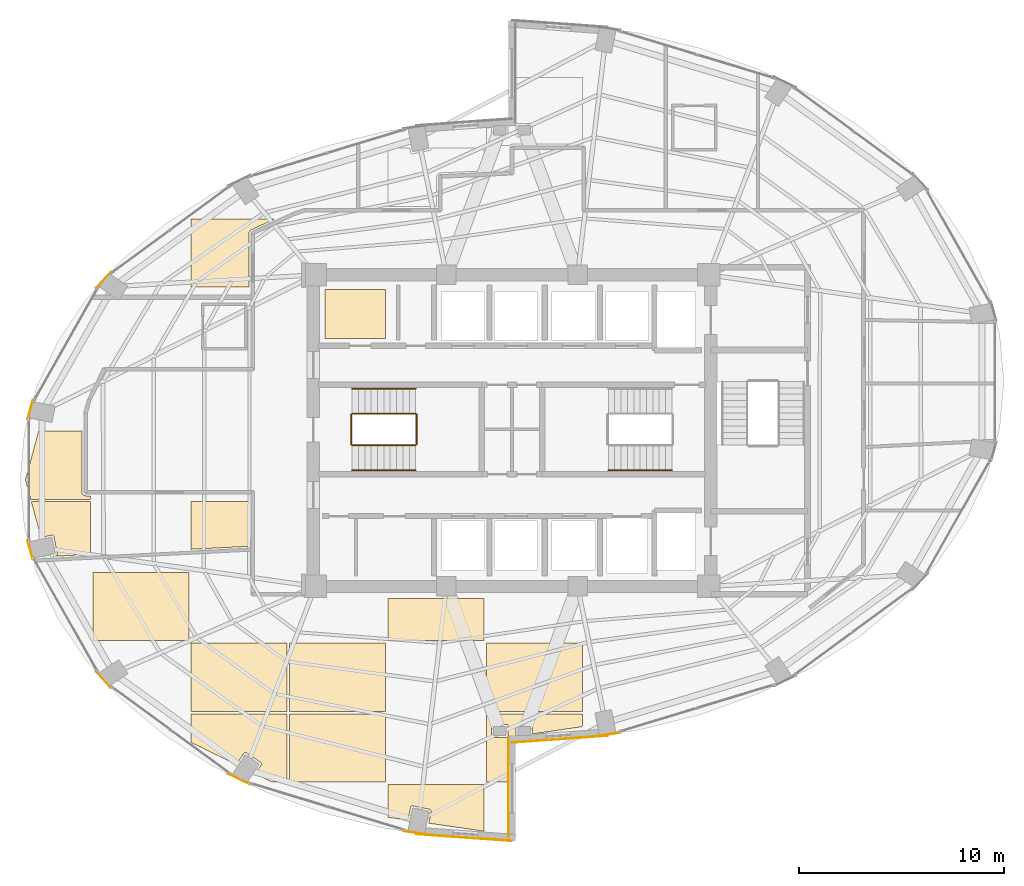
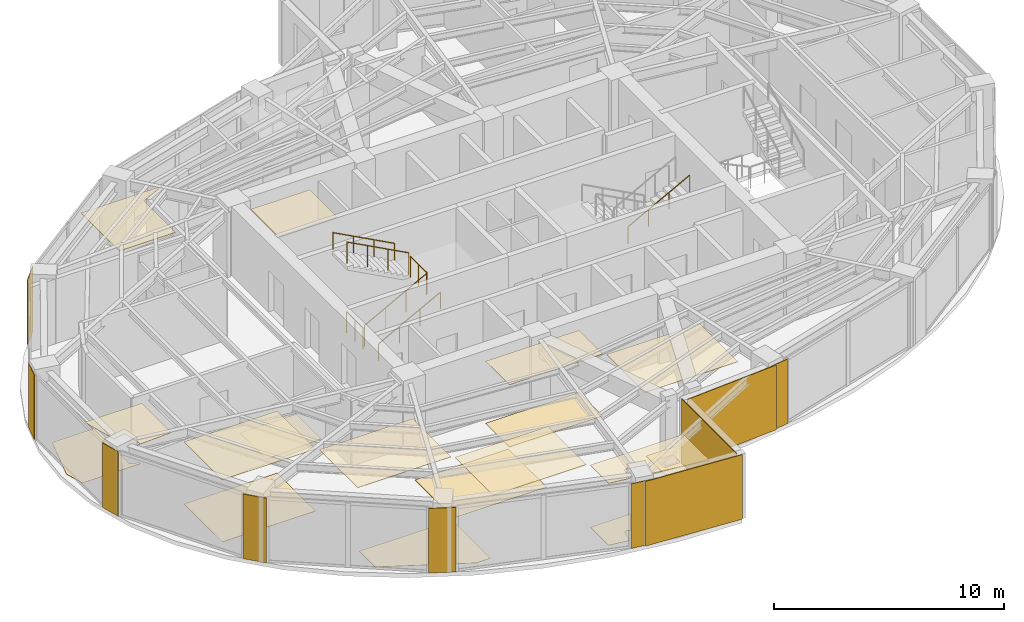
# One storey, part 19 of 20: 27 coverings, 7 railings.
"""IFC4 building model written with IfcOpenShell, lengths in metres."""

from ifc_helpers import new_model, si_unit, direction, frame, origin, origin_2d, place, context, subcontext, project, spatial, polyline, rectangle, circle, outline, extrude, material, layer, layer_set, type_object, element, save


model = new_model("IFC4")

# Units and contexts
model_context = context("Model", 3, precision=1e-05, world=origin(), true_north=direction((0.0, 1.0)))
body_context = subcontext(model_context, "Body", "Model", "MODEL_VIEW")
ifc_project = project(units=[si_unit("LENGTHUNIT", "METRE"), si_unit("AREAUNIT", "SQUARE_METRE"), si_unit("VOLUMEUNIT", "CUBIC_METRE"), si_unit("PLANEANGLEUNIT", "RADIAN"), si_unit("MASSUNIT", "GRAM", prefix="KILO")], contexts=[model_context])

# Site, building, storey
site_placement = place(None, origin())
site = spatial("IfcSite", under=ifc_project, at=site_placement, CompositionType="ELEMENT")
building_placement = place(site_placement, origin())
building = spatial("IfcBuilding", under=site, at=building_placement, Name="Lazwardi Medical Tower", CompositionType="ELEMENT")
storey_placement = place(building_placement, frame((0.0, 0.0, 141.93603515625)))
storey = spatial("IfcBuildingStorey", under=building, at=storey_placement, Name="L36", CompositionType="ELEMENT", Elevation=141.93603515625)

# Coverings
ifc_material_1 = material(Name="Anodised bronze aluminium cassette cladding", Category="aluminium")
ifc_layer_1 = layer(ifc_material_1, 0.030029296875)
ifc_layer_set_1 = layer_set([ifc_layer_1], Name="Anodised bronze aluminium cassette cladding")
covering_type_1 = type_object("IfcCoveringType", Name="COV-CLD-BRZ", PredefinedType="CLADDING", material=ifc_layer_set_1)
covering_1_placement = place(storey_placement, frame((40.67431640625, 13.17578125, 0.0), z_axis=(0.0, 0.0, 1.0), x_axis=(0.989539138138, 0.144264666823, 0.0)))
element("IfcCovering", 1, at=covering_1_placement, inside=storey, type_object=covering_type_1, Name="L36 Mega-column bronze cassette cover M01", PredefinedType="CLADDING", context=body_context, shape_type="SweptSolid", body=[
    extrude(rectangle(XDim=1.28515625, YDim=0.030029296875, at=origin_2d()), origin(), (0.0, 0.0, 1.0), 3.427978515625),
])
covering_2_placement = place(storey_placement, frame((16.07861328125, 35.356689453125, 0.0), z_axis=(0.0, 0.0, 1.0), x_axis=(-0.673714459537, -0.738991763832, 0.0)))
element("IfcCovering", 2, at=covering_2_placement, inside=storey, type_object=covering_type_1, Name="L36 Mega-column bronze cassette cover M11", PredefinedType="CLADDING", context=body_context, shape_type="SweptSolid", body=[
    extrude(rectangle(XDim=1.0693359375, YDim=0.030029296875, at=origin_2d()), origin(), (0.0, 0.0, 1.0), 3.427978515625),
])
for number, where, z_axis, x_axis, name in (
    (3, (12.501220703125, 29.026123046875, 0.0), (0.0, 0.0, 1.0), (-0.261828726257, -0.965114354938, 0.0), "L36 Mega-column bronze cassette cover M12"),
    (4, (12.501220703125, 22.173828125, 0.0), (0.0, 0.0, 1.0), (0.261828726257, -0.965114354938, 0.0), "L36 Mega-column bronze cassette cover M13"),
):
    element("IfcCovering", number, at=place(storey_placement, frame(where, z_axis=z_axis, x_axis=x_axis)), inside=storey, type_object=covering_type_1, Name=name, PredefinedType="CLADDING", context=body_context, shape_type="SweptSolid", body=[
        extrude(rectangle(XDim=0.9658203125, YDim=0.030029296875, at=origin_2d()), origin(), (0.0, 0.0, 1.0), 3.427978515625),
    ])
covering_3_placement = place(storey_placement, frame((16.07861328125, 15.84326171875, 0.0), z_axis=(0.0, 0.0, 1.0), x_axis=(0.673714459537, -0.738991763832, 0.0)))
element("IfcCovering", 5, at=covering_3_placement, inside=storey, type_object=covering_type_1, Name="L36 Mega-column bronze cassette cover M14", PredefinedType="CLADDING", context=body_context, shape_type="SweptSolid", body=[
    extrude(rectangle(XDim=1.0693359375, YDim=0.030029296875, at=origin_2d()), origin(), (0.0, 0.0, 1.0), 3.427978515625),
])
covering_4_placement = place(storey_placement, frame((22.68896484375, 10.998046875, 0.0), z_axis=(0.0, 0.0, 1.0), x_axis=(0.898079014814, -0.439834154144, 0.0)))
element("IfcCovering", 6, at=covering_4_placement, inside=storey, type_object=covering_type_1, Name="L36 Mega-column bronze cassette cover M15", PredefinedType="CLADDING", context=body_context, shape_type="SweptSolid", body=[
    extrude(rectangle(XDim=1.200439453125, YDim=0.030029296875, at=origin_2d()), origin(), (0.0, 0.0, 1.0), 3.427978515625),
])
covering_5_placement = place(storey_placement, frame((31.32568359375, 8.3759765625, 0.0), z_axis=(0.0, 0.0, 1.0), x_axis=(0.989539138138, -0.144264666823, 0.0)))
element("IfcCovering", 7, at=covering_5_placement, inside=storey, type_object=covering_type_1, Name="L36 Mega-column bronze cassette cover M16", PredefinedType="CLADDING", context=body_context, shape_type="SweptSolid", body=[
    extrude(rectangle(XDim=1.28515625, YDim=0.030029296875, at=origin_2d()), origin(), (0.0, 0.0, 1.0), 3.427978515625),
])
ifc_material_2 = material(Name="Turquoise glazed ceramic tilework cladding", Category="masonry")
ifc_layer_2 = layer(ifc_material_2, 0.034912109375)
ifc_layer_set_2 = layer_set([ifc_layer_2], Name="Turquoise glazed ceramic tilework cladding")
covering_type_2 = type_object("IfcCoveringType", Name="COV-CLD-TRQ", PredefinedType="CLADDING", material=ifc_layer_set_2)
covering_6_placement = place(storey_placement, frame((38.338134765625, 12.952392578125, 0.0), z_axis=(0.0, 0.0, 1.0), x_axis=(0.997414510753, 0.071863020663, 0.0)))
element("IfcCovering", 8, at=covering_6_placement, inside=storey, type_object=covering_type_2, Name="L36 Turquoise glazed ceramic tilework cladding", PredefinedType="CLADDING", context=body_context, shape_type="SweptSolid", body=[
    extrude(rectangle(XDim=4.6630859375, YDim=0.034912109375, at=origin_2d()), origin(), (0.0, 0.0, 1.0), 3.427978515625),
])
covering_7_placement = place(storey_placement, frame((33.66162109375, 8.152587890625, 0.0), z_axis=(0.0, 0.0, 1.0), x_axis=(0.997414134466, -0.071868243112, 0.0)))
element("IfcCovering", 9, at=covering_7_placement, inside=storey, type_object=covering_type_2, Name="L36 Turquoise glazed ceramic tilework cladding", PredefinedType="CLADDING", context=body_context, shape_type="SweptSolid", body=[
    extrude(rectangle(XDim=4.66259765625, YDim=0.034912109375, at=origin_2d()), origin(), (0.0, 0.0, 1.0), 3.427978515625),
])
covering_8_placement = place(storey_placement, frame((35.824462890625, 10.56005859375, 0.0), z_axis=(0.0, 0.0, 1.0), x_axis=(0.0, 1.0, 0.0)))
element("IfcCovering", 10, at=covering_8_placement, inside=storey, type_object=covering_type_2, Name="L36 Turquoise glazed ceramic tilework iwan panel", PredefinedType="CLADDING", context=body_context, shape_type="SweptSolid", body=[
    extrude(rectangle(XDim=4.800048828125, YDim=0.034912109375, at=origin_2d()), origin(), (0.0, 0.0, 1.0), 3.427978515625),
])
ifc_material_3 = material(Name="Acoustic mineral fibre tile")
ifc_layer_3 = layer(ifc_material_3, 0.02490234375)
ifc_layer_set_3 = layer_set([ifc_layer_3], Name="Acoustic mineral fibre tile")
covering_type_3 = type_object("IfcCoveringType", Name="COV-CLG-01", PredefinedType="CEILING", material=ifc_layer_set_3)
covering_9_placement = place(storey_placement, frame((0.0, 0.0, 3.282958984375)))
element("IfcCovering", 11, at=covering_9_placement, inside=storey, type_object=covering_type_3, Name="L36 Clinical Acoustic Ceiling 1", PredefinedType="CEILING", context=body_context, shape_type="SweptSolid", body=[
    extrude(outline(polyline([(12.55322265625, 24.532470703125), (13.02490234375, 22.798583984375), (13.55810546875, 22.904541015625), (13.56591796875, 22.90576171875), (13.57373046875, 22.906005859375), (13.58154296875, 22.90576171875), (13.58935546875, 22.904541015625), (13.596923828125, 22.902587890625), (13.6044921875, 22.89990234375), (13.611572265625, 22.896728515625), (13.6181640625, 22.892578125), (13.62451171875, 22.887939453125), (13.63037109375, 22.8828125), (13.635498046875, 22.876953125), (13.640380859375, 22.87060546875), (13.644287109375, 22.86376953125), (13.647705078125, 22.856689453125), (13.650390625, 22.849365234375), (13.65234375, 22.841796875), (13.820068359375, 21.998291015625), (13.8212890625, 21.990478515625), (13.821533203125, 21.982666015625), (13.8212890625, 21.974853515625), (13.820068359375, 21.967041015625), (13.818115234375, 21.95947265625), (13.8154296875, 21.951904296875), (13.812255859375, 21.94482421875), (13.80810546875, 21.938232421875), (13.803466796875, 21.931884765625), (13.798095703125, 21.926025390625), (13.79248046875, 21.9208984375), (13.785888671875, 21.916015625), (13.779296875, 21.912109375), (13.772216796875, 21.90869140625), (13.764892578125, 21.906005859375), (13.757080078125, 21.904052734375), (13.586181640625, 21.8701171875), (15.432861328125, 21.9638671875), (15.432861328125, 24.532470703125), (12.55322265625, 24.532470703125)])), origin(), (0.0, 0.0, 1.0), 0.02490234375),
])
covering_10_placement = place(storey_placement, frame((0.0, 0.0, 3.282958984375)))
element("IfcCovering", 12, at=covering_10_placement, inside=storey, type_object=covering_type_3, Name="L36 Clinical Acoustic Ceiling 2", PredefinedType="CEILING", context=body_context, shape_type="SweptSolid", body=[
    extrude(outline(polyline([(20.23291015625, 17.75244140625), (20.23291015625, 21.08251953125), (15.552978515625, 21.08251953125), (15.552978515625, 17.75244140625), (20.23291015625, 17.75244140625)])), origin(), (0.0, 0.0, 1.0), 0.02490234375),
])
covering_11_placement = place(storey_placement, frame((0.0, 0.0, 3.282958984375)))
element("IfcCovering", 13, at=covering_11_placement, inside=storey, type_object=covering_type_3, Name="L36 Clinical Acoustic Ceiling 3", PredefinedType="CEILING", context=body_context, shape_type="SweptSolid", body=[
    extrude(outline(polyline([(25.032958984375, 14.302490234375), (25.032958984375, 17.632568359375), (20.352783203125, 17.632568359375), (20.352783203125, 14.302490234375), (25.032958984375, 14.302490234375)])), origin(), (0.0, 0.0, 1.0), 0.02490234375),
])
covering_12_placement = place(storey_placement, frame((0.0, 0.0, 3.282958984375)))
element("IfcCovering", 14, at=covering_12_placement, inside=storey, type_object=covering_type_3, Name="L36 Clinical Acoustic Ceiling 4", PredefinedType="CEILING", context=body_context, shape_type="SweptSolid", body=[
    extrude(outline(polyline([(23.175048828125, 35.00244140625), (23.175048828125, 37.6337890625), (23.175048828125, 37.637451171875), (23.175537109375, 37.646484375), (23.17626953125, 37.654296875), (23.177490234375, 37.663330078125), (23.178955078125, 37.67041015625), (23.180908203125, 37.67919921875), (23.18310546875, 37.686279296875), (23.18603515625, 37.694580078125), (23.18896484375, 37.7021484375), (23.192626953125, 37.710205078125), (23.19580078125, 37.71630859375), (23.2001953125, 37.72412109375), (23.204345703125, 37.730712890625), (23.20947265625, 37.73828125), (23.214111328125, 37.744140625), (23.219970703125, 37.7509765625), (23.2255859375, 37.7568359375), (23.232177734375, 37.76318359375), (23.2373046875, 37.767578125), (23.244384765625, 37.773193359375), (23.25048828125, 37.77783203125), (23.258056640625, 37.78271484375), (23.26416015625, 37.786376953125), (23.272216796875, 37.79052734375), (23.27587890625, 37.79248046875), (24.43017578125, 38.33251953125), (20.352783203125, 38.33251953125), (20.352783203125, 35.00244140625), (23.175048828125, 35.00244140625)])), origin(), (0.0, 0.0, 1.0), 0.02490234375),
])
covering_13_placement = place(storey_placement, frame((0.0, 0.0, 3.282958984375)))
element("IfcCovering", 15, at=covering_13_placement, inside=storey, type_object=covering_type_3, Name="L36 Clinical Acoustic Ceiling 5", PredefinedType="CEILING", context=body_context, shape_type="SweptSolid", body=[
    extrude(outline(polyline([(29.8330078125, 10.8525390625), (29.8330078125, 14.1826171875), (25.15283203125, 14.1826171875), (25.15283203125, 10.8525390625), (29.8330078125, 10.8525390625)])), origin(), (0.0, 0.0, 1.0), 0.02490234375),
])
covering_14_placement = place(storey_placement, frame((0.0, 0.0, 3.282958984375)))
element("IfcCovering", 16, at=covering_14_placement, inside=storey, type_object=covering_type_3, Name="L36 Clinical Acoustic Ceiling 6", PredefinedType="CEILING", context=body_context, shape_type="SweptSolid", body=[
    extrude(outline(polyline([(26.8798828125, 34.882568359375), (26.8798828125, 32.5), (29.8330078125, 32.5), (29.8330078125, 34.882568359375), (26.8798828125, 34.882568359375)])), origin(), (0.0, 0.0, 1.0), 0.02490234375),
])
covering_15_placement = place(storey_placement, frame((0.0, 0.0, 3.282958984375)))
element("IfcCovering", 17, at=covering_15_placement, inside=storey, type_object=covering_type_3, Name="L36 Clinical Acoustic Ceiling 7", PredefinedType="CEILING", context=body_context, shape_type="SweptSolid", body=[
    extrude(outline(polyline([(29.952880859375, 9.140380859375), (30.92919921875, 8.99853515625), (31.0556640625, 9.63427734375), (31.0576171875, 9.641845703125), (31.060302734375, 9.6494140625), (31.0634765625, 9.656494140625), (31.067626953125, 9.6630859375), (31.072265625, 9.66943359375), (31.077392578125, 9.67529296875), (31.083251953125, 9.680419921875), (31.089599609375, 9.685302734375), (31.096435546875, 9.689208984375), (31.103515625, 9.692626953125), (31.11083984375, 9.6953125), (31.118408203125, 9.697265625), (31.126220703125, 9.6982421875), (31.134033203125, 9.69873046875), (31.141845703125, 9.6982421875), (31.149658203125, 9.697265625), (31.9931640625, 9.529296875), (32.000732421875, 9.527587890625), (32.00830078125, 9.52490234375), (32.015380859375, 9.521484375), (32.02197265625, 9.517333984375), (32.0283203125, 9.5126953125), (32.0341796875, 9.507568359375), (32.039306640625, 9.501708984375), (32.044189453125, 9.495361328125), (32.048095703125, 9.488525390625), (32.051513671875, 9.4814453125), (32.05419921875, 9.47412109375), (32.05615234375, 9.466552734375), (32.05712890625, 9.458740234375), (32.0576171875, 9.450927734375), (32.05712890625, 9.443115234375), (32.05615234375, 9.435302734375), (31.93994140625, 8.851318359375), (34.6328125, 8.459716796875), (34.6328125, 10.732421875), (29.952880859375, 10.732421875), (29.952880859375, 9.140380859375)])), origin(), (0.0, 0.0, 1.0), 0.02490234375),
])
covering_16_placement = place(storey_placement, frame((0.0, 0.0, 3.282958984375)))
element("IfcCovering", 18, at=covering_16_placement, inside=storey, type_object=covering_type_3, Name="L36 Clinical Acoustic Ceiling 8", PredefinedType="CEILING", context=body_context, shape_type="SweptSolid", body=[
    extrude(outline(polyline([(34.6328125, 19.820068359375), (29.952880859375, 19.820068359375), (29.952880859375, 17.75244140625), (34.6328125, 17.75244140625), (34.6328125, 19.820068359375)])), origin(), (0.0, 0.0, 1.0), 0.02490234375),
])
covering_17_placement = place(storey_placement, frame((0.0, 0.0, 3.282958984375)))
element("IfcCovering", 19, at=covering_17_placement, inside=storey, type_object=covering_type_3, Name="L36 Clinical Acoustic Ceiling 10", PredefinedType="CEILING", context=body_context, shape_type="SweptSolid", body=[
    extrude(outline(polyline([(39.432861328125, 14.302490234375), (39.432861328125, 17.632568359375), (34.7529296875, 17.632568359375), (34.7529296875, 14.302490234375), (39.432861328125, 14.302490234375)])), origin(), (0.0, 0.0, 1.0), 0.02490234375),
])
ifc_material_4 = material(Name="Anti-static hospital vinyl sheet flooring")
ifc_layer_4 = layer(ifc_material_4, 0.014892578125)
ifc_layer_set_4 = layer_set([ifc_layer_4], Name="Anti-static hospital vinyl sheet flooring")
covering_type_4 = type_object("IfcCoveringType", Name="COV-FLR-01", PredefinedType="FLOORING", material=ifc_layer_set_4)
covering_18_placement = place(storey_placement, origin())
element("IfcCovering", 20, at=covering_18_placement, inside=storey, type_object=covering_type_4, Name="L36 Clinical Vinyl Flooring 1", PredefinedType="FLOORING", context=body_context, shape_type="SweptSolid", body=[
    extrude(outline(polyline([(15.432861328125, 24.824951171875), (15.199951171875, 24.824951171875), (15.19580078125, 24.8251953125), (15.186279296875, 24.82568359375), (15.179443359375, 24.826416015625), (15.17041015625, 24.82763671875), (15.161865234375, 24.8291015625), (15.15283203125, 24.83154296875), (15.145751953125, 24.83349609375), (15.136962890625, 24.836669921875), (15.129150390625, 24.840087890625), (15.120849609375, 24.843994140625), (15.114013671875, 24.84765625), (15.10595703125, 24.852294921875), (15.099365234375, 24.85693359375), (15.091796875, 24.862548828125), (15.086181640625, 24.8671875), (15.079345703125, 24.873291015625), (15.0732421875, 24.87939453125), (15.067138671875, 24.88623046875), (15.0625, 24.891845703125), (15.056884765625, 24.8994140625), (15.052490234375, 24.906005859375), (15.047607421875, 24.9140625), (15.0439453125, 24.9208984375), (15.0400390625, 24.92919921875), (15.03662109375, 24.93701171875), (15.03369140625, 24.94580078125), (15.031494140625, 24.952880859375), (15.029296875, 24.9619140625), (15.027587890625, 24.97021484375), (15.0263671875, 24.9794921875), (15.025634765625, 24.986328125), (15.025146484375, 24.99560546875), (15.02490234375, 25.0), (15.02490234375, 27.982421875), (12.910888671875, 27.982421875), (12.262939453125, 25.60009765625), (12.5205078125, 24.652587890625), (15.432861328125, 24.652587890625), (15.432861328125, 24.824951171875)])), origin(), (0.0, 0.0, 1.0), 0.014892578125),
])
covering_19_placement = place(storey_placement, origin())
element("IfcCovering", 21, at=covering_19_placement, inside=storey, type_object=covering_type_4, Name="L36 Clinical Vinyl Flooring 2", PredefinedType="FLOORING", context=body_context, shape_type="SweptSolid", body=[
    extrude(outline(polyline([(20.23291015625, 17.75244140625), (20.23291015625, 21.08251953125), (15.552978515625, 21.08251953125), (15.552978515625, 17.75244140625), (20.23291015625, 17.75244140625)])), origin(), (0.0, 0.0, 1.0), 0.014892578125),
])
covering_20_placement = place(storey_placement, origin())
element("IfcCovering", 22, at=covering_20_placement, inside=storey, type_object=covering_type_4, Name="L36 Clinical Vinyl Flooring 3", PredefinedType="FLOORING", context=body_context, shape_type="SweptSolid", body=[
    extrude(outline(polyline([(20.352783203125, 12.78662109375), (22.551513671875, 11.71240234375), (22.919921875, 12.263916015625), (22.9248046875, 12.27001953125), (22.929931640625, 12.27587890625), (22.935791015625, 12.28125), (22.942138671875, 12.285888671875), (22.94873046875, 12.2900390625), (22.955810546875, 12.293212890625), (22.96337890625, 12.2958984375), (22.970947265625, 12.2978515625), (22.978759765625, 12.299072265625), (22.986572265625, 12.29931640625), (22.994384765625, 12.299072265625), (23.002197265625, 12.2978515625), (23.009765625, 12.2958984375), (23.01708984375, 12.293212890625), (23.024169921875, 12.2900390625), (23.031005859375, 12.285888671875), (23.74609375, 11.80810546875), (23.75244140625, 11.803466796875), (23.75830078125, 11.798095703125), (23.763427734375, 11.79248046875), (23.76806640625, 11.785888671875), (23.772216796875, 11.779296875), (23.775390625, 11.772216796875), (23.7783203125, 11.764892578125), (23.780029296875, 11.757080078125), (23.78125, 11.74951171875), (23.781494140625, 11.74169921875), (23.78125, 11.73388671875), (23.780029296875, 11.72607421875), (23.7783203125, 11.718505859375), (23.775390625, 11.7109375), (23.772216796875, 11.703857421875), (23.76806640625, 11.697021484375), (23.476318359375, 11.260498046875), (24.311279296875, 10.8525390625), (25.032958984375, 10.8525390625), (25.032958984375, 14.1826171875), (20.352783203125, 14.1826171875), (20.352783203125, 12.78662109375)])), origin(), (0.0, 0.0, 1.0), 0.014892578125),
])
covering_21_placement = place(storey_placement, origin())
element("IfcCovering", 23, at=covering_21_placement, inside=storey, type_object=covering_type_4, Name="L36 Clinical Vinyl Flooring 4", PredefinedType="FLOORING", context=body_context, shape_type="SweptSolid", body=[
    extrude(outline(polyline([(20.352783203125, 22.213623046875), (23.175048828125, 22.35693359375), (23.175048828125, 24.532470703125), (20.352783203125, 24.532470703125), (20.352783203125, 22.213623046875)])), origin(), (0.0, 0.0, 1.0), 0.014892578125),
])
covering_22_placement = place(storey_placement, origin())
element("IfcCovering", 24, at=covering_22_placement, inside=storey, type_object=covering_type_4, Name="L36 Clinical Vinyl Flooring 5", PredefinedType="FLOORING", context=body_context, shape_type="SweptSolid", body=[
    extrude(outline(polyline([(29.8330078125, 14.302490234375), (29.8330078125, 17.632568359375), (25.15283203125, 17.632568359375), (25.15283203125, 14.302490234375), (29.8330078125, 14.302490234375)])), origin(), (0.0, 0.0, 1.0), 0.014892578125),
])
covering_23_placement = place(storey_placement, origin())
element("IfcCovering", 25, at=covering_23_placement, inside=storey, type_object=covering_type_4, Name="L36 Clinical Vinyl Flooring 6", PredefinedType="FLOORING", context=body_context, shape_type="SweptSolid", body=[
    extrude(outline(polyline([(29.952880859375, 9.140380859375), (30.92919921875, 8.99853515625), (31.0556640625, 9.63427734375), (31.0576171875, 9.641845703125), (31.060302734375, 9.6494140625), (31.0634765625, 9.656494140625), (31.067626953125, 9.6630859375), (31.072265625, 9.66943359375), (31.077392578125, 9.67529296875), (31.083251953125, 9.680419921875), (31.089599609375, 9.685302734375), (31.096435546875, 9.689208984375), (31.103515625, 9.692626953125), (31.11083984375, 9.6953125), (31.118408203125, 9.697265625), (31.126220703125, 9.6982421875), (31.134033203125, 9.69873046875), (31.141845703125, 9.6982421875), (31.149658203125, 9.697265625), (31.9931640625, 9.529296875), (32.000732421875, 9.527587890625), (32.00830078125, 9.52490234375), (32.015380859375, 9.521484375), (32.02197265625, 9.517333984375), (32.0283203125, 9.5126953125), (32.0341796875, 9.507568359375), (32.039306640625, 9.501708984375), (32.044189453125, 9.495361328125), (32.048095703125, 9.488525390625), (32.051513671875, 9.4814453125), (32.05419921875, 9.47412109375), (32.05615234375, 9.466552734375), (32.05712890625, 9.458740234375), (32.0576171875, 9.450927734375), (32.05712890625, 9.443115234375), (32.05615234375, 9.435302734375), (31.93994140625, 8.851318359375), (34.6328125, 8.459716796875), (34.6328125, 10.732421875), (29.952880859375, 10.732421875), (29.952880859375, 9.140380859375)])), origin(), (0.0, 0.0, 1.0), 0.014892578125),
])
covering_24_placement = place(storey_placement, origin())
element("IfcCovering", 26, at=covering_24_placement, inside=storey, type_object=covering_type_4, Name="L36 Clinical Vinyl Flooring 7", PredefinedType="FLOORING", context=body_context, shape_type="SweptSolid", body=[
    extrude(outline(polyline([(34.6328125, 19.820068359375), (29.952880859375, 19.820068359375), (29.952880859375, 17.75244140625), (34.6328125, 17.75244140625), (34.6328125, 19.820068359375)])), origin(), (0.0, 0.0, 1.0), 0.014892578125),
])
covering_25_placement = place(storey_placement, origin())
element("IfcCovering", 27, at=covering_25_placement, inside=storey, type_object=covering_type_4, Name="L36 Clinical Vinyl Flooring 9", PredefinedType="FLOORING", context=body_context, shape_type="SweptSolid", body=[
    extrude(outline(polyline([(35.919921875, 10.8525390625), (35.919921875, 12.97998046875), (35.92041015625, 12.987548828125), (35.92138671875, 12.9951171875), (35.923095703125, 13.00244140625), (35.92578125, 13.009765625), (35.928955078125, 13.0166015625), (35.9326171875, 13.023193359375), (35.93701171875, 13.029296875), (35.942138671875, 13.03515625), (35.947509765625, 13.040283203125), (35.95361328125, 13.045166015625), (35.9599609375, 13.04931640625), (35.966796875, 13.052734375), (35.9736328125, 13.0556640625), (35.98095703125, 13.0576171875), (35.988525390625, 13.05908203125), (36.201416015625, 13.090087890625), (36.200439453125, 13.09716796875), (36.199951171875, 13.10498046875), (36.199951171875, 13.594970703125), (36.200439453125, 13.602783203125), (36.201416015625, 13.610595703125), (36.203369140625, 13.6181640625), (36.2060546875, 13.62548828125), (36.20947265625, 13.6328125), (36.21337890625, 13.639404296875), (36.21826171875, 13.645751953125), (36.223388671875, 13.651611328125), (36.229248046875, 13.65673828125), (36.235595703125, 13.66162109375), (36.2421875, 13.66552734375), (36.24951171875, 13.6689453125), (36.2568359375, 13.671630859375), (36.264404296875, 13.673583984375), (36.272216796875, 13.674560546875), (36.280029296875, 13.675048828125), (36.919921875, 13.675048828125), (36.927734375, 13.674560546875), (36.935546875, 13.673583984375), (36.943115234375, 13.671630859375), (36.95068359375, 13.6689453125), (36.957763671875, 13.66552734375), (36.96435546875, 13.66162109375), (36.970703125, 13.65673828125), (36.9765625, 13.651611328125), (36.981689453125, 13.645751953125), (36.986572265625, 13.639404296875), (36.990478515625, 13.6328125), (36.993896484375, 13.62548828125), (36.99658203125, 13.6181640625), (36.99853515625, 13.610595703125), (36.99951171875, 13.602783203125), (37.0, 13.594970703125), (37.0, 13.206298828125), (39.432861328125, 13.560302734375), (39.432861328125, 14.1826171875), (34.7529296875, 14.1826171875), (34.7529296875, 10.8525390625), (35.919921875, 10.8525390625)]), holes=[polyline([(35.7431640625, 13.0283203125), (35.735595703125, 13.026611328125), (35.727783203125, 13.025390625), (35.719970703125, 13.02490234375), (35.080078125, 13.02490234375), (35.072265625, 13.025390625), (35.064453125, 13.026611328125), (35.056884765625, 13.0283203125), (35.04931640625, 13.031005859375), (35.042236328125, 13.034423828125), (35.03564453125, 13.03857421875), (35.029296875, 13.043212890625), (35.0234375, 13.04833984375), (35.018310546875, 13.05419921875), (35.013427734375, 13.060546875), (35.009521484375, 13.0673828125), (35.006103515625, 13.074462890625), (35.00341796875, 13.081787109375), (35.00146484375, 13.08935546875), (35.00048828125, 13.09716796875), (35.0, 13.10498046875), (35.0, 13.594970703125), (35.00048828125, 13.602783203125), (35.00146484375, 13.610595703125), (35.00341796875, 13.6181640625), (35.006103515625, 13.62548828125), (35.009521484375, 13.6328125), (35.013427734375, 13.639404296875), (35.018310546875, 13.645751953125), (35.0234375, 13.651611328125), (35.029296875, 13.65673828125), (35.03564453125, 13.66162109375), (35.042236328125, 13.66552734375), (35.04931640625, 13.6689453125), (35.056884765625, 13.671630859375), (35.064453125, 13.673583984375), (35.072265625, 13.674560546875), (35.080078125, 13.675048828125), (35.719970703125, 13.675048828125), (35.727783203125, 13.674560546875), (35.735595703125, 13.673583984375), (35.7431640625, 13.671630859375), (35.75048828125, 13.6689453125), (35.7578125, 13.66552734375), (35.764404296875, 13.66162109375), (35.770751953125, 13.65673828125), (35.776611328125, 13.651611328125), (35.78173828125, 13.645751953125), (35.78662109375, 13.639404296875), (35.79052734375, 13.6328125), (35.7939453125, 13.62548828125), (35.796630859375, 13.6181640625), (35.798583984375, 13.610595703125), (35.799560546875, 13.602783203125), (35.800048828125, 13.594970703125), (35.800048828125, 13.10498046875), (35.799560546875, 13.09716796875), (35.798583984375, 13.08935546875), (35.796630859375, 13.081787109375), (35.7939453125, 13.074462890625), (35.79052734375, 13.0673828125), (35.78662109375, 13.060546875), (35.78173828125, 13.05419921875), (35.776611328125, 13.04833984375), (35.770751953125, 13.043212890625), (35.764404296875, 13.03857421875), (35.7578125, 13.034423828125), (35.75048828125, 13.031005859375), (35.7431640625, 13.0283203125)])]), origin(), (0.0, 0.0, 1.0), 0.014892578125),
])

# Railings
ifc_material_5 = material(Name="Stainless steel Grade 316", Category="steel")
railing_type_1 = type_object("IfcRailingType", Name="RLG-GRD-1150", PredefinedType="GUARDRAIL", material=ifc_material_5)
railing_1_placement = place(storey_placement, frame((28.199951171875, 27.2900390625, 0.165771484375)))
element("IfcRailing", 28, at=railing_1_placement, inside=storey, type_object=railing_type_1, Name="L36 ST1 stair guard 1", PredefinedType="GUARDRAIL", context=body_context, shape_type="SweptSolid", body=[
    extrude(circle(Radius=0.02392578125, at=origin_2d()), frame((0.0, 0.0, 1.1259765625), z_axis=(0.881783298633, 0.0, 0.471654761719), x_axis=(0.0, 1.0, 0.0)), (0.0, 0.0, 1.0), 3.515625),
    extrude(circle(Radius=0.02099609375, at=origin_2d()), origin(), (0.0, 0.0, 1.0), 1.099853515625),
    extrude(circle(Radius=0.02099609375, at=origin_2d()), frame((1.033447265625, 0.0, 0.552734375)), (0.0, 0.0, 1.0), 1.099853515625),
    extrude(circle(Radius=0.02099609375, at=origin_2d()), frame((2.066650390625, 0.0, 1.10546875)), (0.0, 0.0, 1.0), 1.099853515625),
    extrude(circle(Radius=0.02099609375, at=origin_2d()), frame((3.10009765625, 0.0, 1.658203125)), (0.0, 0.0, 1.0), 1.099853515625),
])
railing_2_placement = place(storey_placement, frame((31.35009765625, 27.340087890625, 1.823974609375)))
element("IfcRailing", 29, at=railing_2_placement, inside=storey, type_object=railing_type_1, Name="L36 ST1 stair guard 2", PredefinedType="GUARDRAIL", context=body_context, shape_type="SweptSolid", body=[
    extrude(circle(Radius=0.02392578125, at=origin_2d()), frame((0.0, 0.0, 1.1259765625), z_axis=(0.0, 1.0, 0.0), x_axis=(-1.0, 0.0, 0.0)), (0.0, 0.0, 1.0), 1.43994140625),
    extrude(circle(Radius=0.02099609375, at=origin_2d()), origin(), (0.0, 0.0, 1.0), 1.099853515625),
    extrude(circle(Radius=0.02099609375, at=origin_2d()), frame((0.0, 0.719970703125, 0.0)), (0.0, 0.0, 1.0), 1.099853515625),
    extrude(circle(Radius=0.02099609375, at=origin_2d()), frame((0.0, 1.43994140625, 0.0)), (0.0, 0.0, 1.0), 1.099853515625),
])
railing_3_placement = place(storey_placement, frame((31.300048828125, 28.830078125, 1.98974609375)))
element("IfcRailing", 30, at=railing_3_placement, inside=storey, type_object=railing_type_1, Name="L36 ST1 stair guard 3", PredefinedType="GUARDRAIL", context=body_context, shape_type="SweptSolid", body=[
    extrude(circle(Radius=0.02392578125, at=origin_2d()), frame((0.0, 0.0, 1.1259765625), z_axis=(-0.881783298633, 0.0, 0.471654761719), x_axis=(0.0, -1.0, 0.0)), (0.0, 0.0, 1.0), 3.515625),
    extrude(circle(Radius=0.02099609375, at=origin_2d()), origin(), (0.0, 0.0, 1.0), 1.099853515625),
    extrude(circle(Radius=0.02099609375, at=origin_2d()), frame((-1.033447265625, 0.0, 0.552734375)), (0.0, 0.0, 1.0), 1.099853515625),
    extrude(circle(Radius=0.02099609375, at=origin_2d()), frame((-2.066650390625, 0.0, 1.10546875)), (0.0, 0.0, 1.0), 1.099853515625),
    extrude(circle(Radius=0.02099609375, at=origin_2d()), frame((-3.10009765625, 0.0, 1.658203125)), (0.0, 0.0, 1.0), 1.099853515625),
])
railing_4_placement = place(storey_placement, frame((28.14990234375, 27.340087890625, 0.0)))
element("IfcRailing", 31, at=railing_4_placement, inside=storey, type_object=railing_type_1, Name="L36 ST1 stair guard 4", PredefinedType="GUARDRAIL", context=body_context, shape_type="SweptSolid", body=[
    extrude(circle(Radius=0.02392578125, at=origin_2d()), frame((0.0, 0.0, 1.1259765625), z_axis=(0.0, 1.0, 0.0), x_axis=(-1.0, 0.0, 0.0)), (0.0, 0.0, 1.0), 1.43994140625),
    extrude(circle(Radius=0.02099609375, at=origin_2d()), origin(), (0.0, 0.0, 1.0), 1.099853515625),
    extrude(circle(Radius=0.02099609375, at=origin_2d()), frame((0.0, 0.719970703125, 0.0)), (0.0, 0.0, 1.0), 1.099853515625),
    extrude(circle(Radius=0.02099609375, at=origin_2d()), frame((0.0, 1.43994140625, 0.0)), (0.0, 0.0, 1.0), 1.099853515625),
])
railing_type_2 = type_object("IfcRailingType", Name="RLG-HND-920", PredefinedType="HANDRAIL", material=ifc_material_5)
railing_5_placement = place(storey_placement, frame((28.199951171875, 26.070068359375, 0.165771484375)))
element("IfcRailing", 32, at=railing_5_placement, inside=storey, type_object=railing_type_2, Name="L36 ST1 stair handrail 1", PredefinedType="HANDRAIL", context=body_context, shape_type="SweptSolid", body=[
    extrude(circle(Radius=0.02392578125, at=origin_2d()), frame((0.0, 0.0, 0.8857421875), z_axis=(0.881783298633, 0.0, 0.471654761719), x_axis=(0.0, 1.0, 0.0)), (0.0, 0.0, 1.0), 3.515625),
    extrude(circle(Radius=0.02099609375, at=origin_2d()), origin(), (0.0, 0.0, 1.0), 0.85986328125),
    extrude(circle(Radius=0.02099609375, at=origin_2d()), frame((1.033447265625, 0.0, 0.552734375)), (0.0, 0.0, 1.0), 0.85986328125),
    extrude(circle(Radius=0.02099609375, at=origin_2d()), frame((2.066650390625, 0.0, 1.10546875)), (0.0, 0.0, 1.0), 0.85986328125),
    extrude(circle(Radius=0.02099609375, at=origin_2d()), frame((3.10009765625, 0.0, 1.658203125)), (0.0, 0.0, 1.0), 0.85986328125),
])
railing_6_placement = place(storey_placement, frame((31.300048828125, 30.050048828125, 1.98974609375)))
element("IfcRailing", 33, at=railing_6_placement, inside=storey, type_object=railing_type_2, Name="L36 ST1 stair handrail 2", PredefinedType="HANDRAIL", context=body_context, shape_type="SweptSolid", body=[
    extrude(circle(Radius=0.02392578125, at=origin_2d()), frame((0.0, 0.0, 0.8857421875), z_axis=(-0.881783298633, 0.0, 0.471654761719), x_axis=(0.0, -1.0, 0.0)), (0.0, 0.0, 1.0), 3.515625),
    extrude(circle(Radius=0.02099609375, at=origin_2d()), origin(), (0.0, 0.0, 1.0), 0.85986328125),
    extrude(circle(Radius=0.02099609375, at=origin_2d()), frame((-1.033447265625, 0.0, 0.552734375)), (0.0, 0.0, 1.0), 0.85986328125),
    extrude(circle(Radius=0.02099609375, at=origin_2d()), frame((-2.066650390625, 0.0, 1.10546875)), (0.0, 0.0, 1.0), 0.85986328125),
    extrude(circle(Radius=0.02099609375, at=origin_2d()), frame((-3.10009765625, 0.0, 1.658203125)), (0.0, 0.0, 1.0), 0.85986328125),
])
railing_7_placement = place(storey_placement, frame((40.699951171875, 26.070068359375, 1.98974609375)))
element("IfcRailing", 34, at=railing_7_placement, inside=storey, type_object=railing_type_2, Name="L36 ST2 stair handrail 2", PredefinedType="HANDRAIL", context=body_context, shape_type="SweptSolid", body=[
    extrude(circle(Radius=0.02392578125, at=origin_2d()), frame((0.0, 0.0, 0.8857421875), z_axis=(0.881783298633, 0.0, 0.471654761719), x_axis=(0.0, 1.0, 0.0)), (0.0, 0.0, 1.0), 3.515625),
    extrude(circle(Radius=0.02099609375, at=origin_2d()), origin(), (0.0, 0.0, 1.0), 0.85986328125),
    extrude(circle(Radius=0.02099609375, at=origin_2d()), frame((1.033447265625, 0.0, 0.552734375)), (0.0, 0.0, 1.0), 0.85986328125),
    extrude(circle(Radius=0.02099609375, at=origin_2d()), frame((2.066650390625, 0.0, 1.10546875)), (0.0, 0.0, 1.0), 0.85986328125),
    extrude(circle(Radius=0.02099609375, at=origin_2d()), frame((3.10009765625, 0.0, 1.658203125)), (0.0, 0.0, 1.0), 0.85986328125),
])

save(model, "model.ifc")
